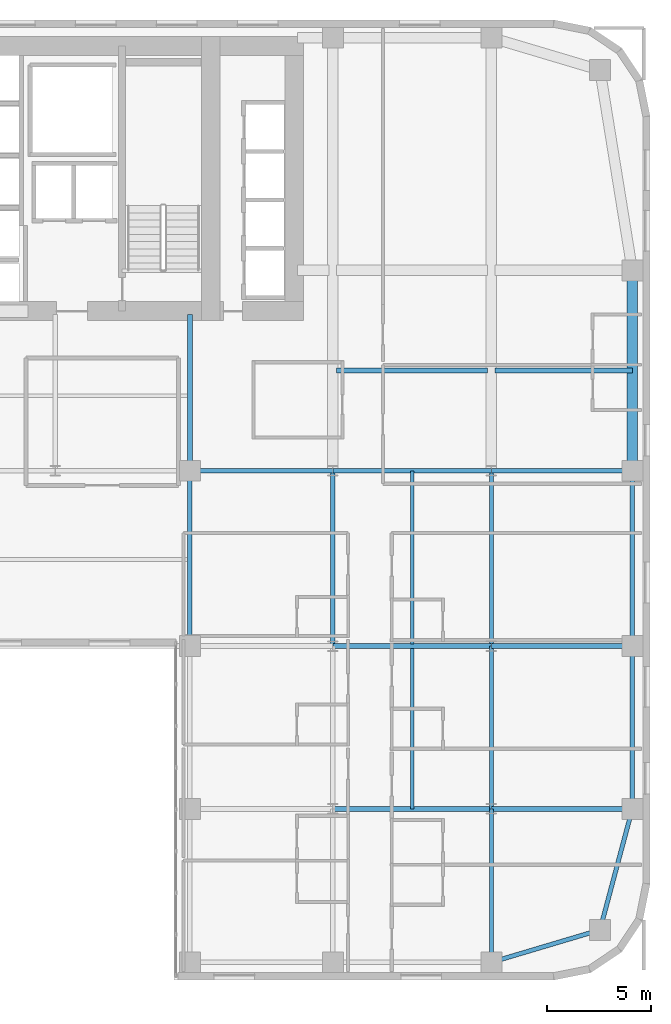
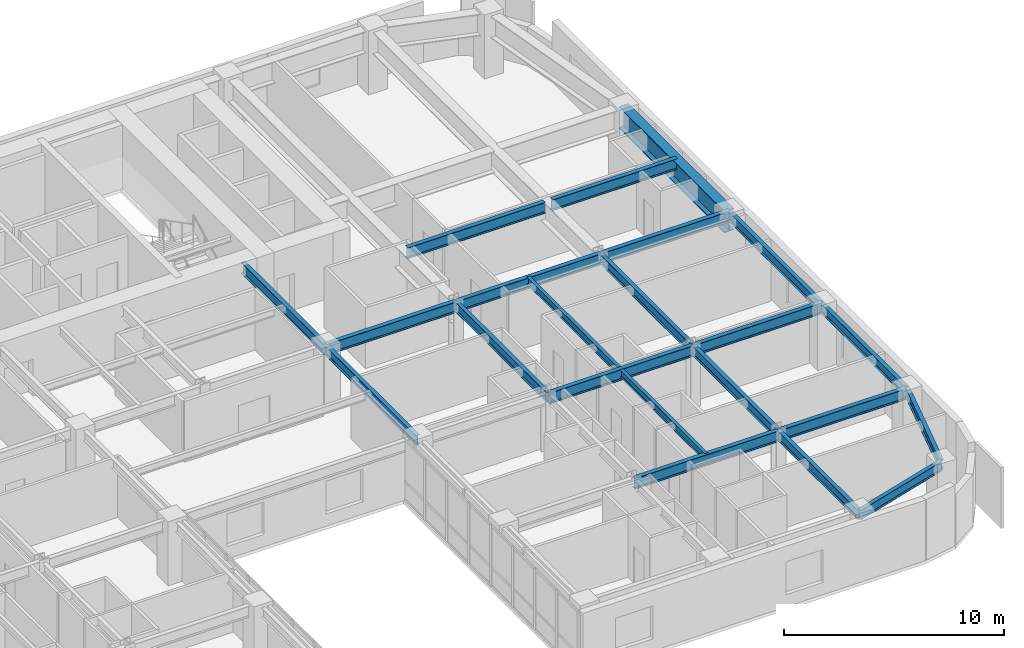
# One storey, part 16 of 30: 22 beams.
"""IFC4 building model written with IfcOpenShell, lengths in metres."""

from ifc_helpers import new_model, si_unit, direction, frame, origin, origin_2d, place, context, subcontext, project, spatial, i_section, extrude, source, transform, mapped, material, material_profile, profile_set, type_object, type_shapes, element, save


model = new_model("IFC4")

# Units and contexts
model_context = context("Model", 3, precision=1e-05, world=origin(), true_north=direction((0.0, 1.0)))
body_context = subcontext(model_context, "Body", "Model", "MODEL_VIEW")
ifc_project = project(units=[si_unit("LENGTHUNIT", "METRE"), si_unit("AREAUNIT", "SQUARE_METRE"), si_unit("VOLUMEUNIT", "CUBIC_METRE"), si_unit("PLANEANGLEUNIT", "RADIAN"), si_unit("MASSUNIT", "GRAM", prefix="KILO")], contexts=[model_context])

# Site, building, storey
site_placement = place(None, origin())
site = spatial("IfcSite", under=ifc_project, at=site_placement, CompositionType="ELEMENT")
building_placement = place(site_placement, origin())
building = spatial("IfcBuilding", under=site, at=building_placement, Name="Tolvann Quenvar Hotel", CompositionType="ELEMENT")
storey_placement = place(building_placement, frame((0.0, 0.0, 56.85009765625)))
storey = spatial("IfcBuildingStorey", under=building, at=storey_placement, Name="L13", CompositionType="ELEMENT", Elevation=56.85009765625)

# Beams
ifc_material = material(Name="Steel Grade 350", Category="steel")
ifc_material_profile_1 = material_profile(ifc_material, i_section(OverallWidth=0.5, OverallDepth=1.199951171875, WebThickness=0.01611328125, FlangeThickness=0.0400390625, at=origin_2d()), Name="1200WB455")
ifc_profile_set_1 = profile_set([ifc_material_profile_1], Name="Steel Grade 350")
beam_type_1 = type_object("IfcBeamType", Name="BM_TG_1200WB455", PredefinedType="USERDEFINED", material=ifc_profile_set_1)
shared_shape_1 = source(origin(), body_context, "Body", "SweptSolid", [
    extrude(i_section(OverallWidth=0.5, OverallDepth=1.199951171875, WebThickness=0.01611328125, FlangeThickness=0.0400390625, at=origin_2d()), origin(), (0.0, 0.0, 1.0), 9.60009765625),
])
type_shapes(beam_type_1, [shared_shape_1])
beam_1_placement = place(storey_placement, frame((56.14990234375, 24.39990234375, 2.77001953125), z_axis=(0.0, 1.0, 0.0), x_axis=(-1.0, 0.0, 0.0)))
element("IfcBeam", 1, at=beam_1_placement, inside=storey, type_object=beam_type_1, Name="BM-L13-FLK-E1", ObjectType="TRANSFER GIRDER", PredefinedType="USERDEFINED", context=body_context, shape_type="MappedRepresentation", body=[
    mapped(shared_shape_1, transform((0.0, 0.0, 0.0), x_axis=(1.0, 0.0, 0.0), y_axis=(0.0, 1.0, 0.0), z_axis=(0.0, 0.0, 1.0), scale=1.0)),
])
ifc_material_profile_2 = material_profile(ifc_material, i_section(OverallWidth=0.208984375, OverallDepth=0.528076171875, WebThickness=0.009521484375, FlangeThickness=0.01318359375, FilletRadius=0.013916015625, at=origin_2d()), Name="530UB82")
ifc_profile_set_2 = profile_set([ifc_material_profile_2], Name="Steel Grade 350")
beam_type_2 = type_object("IfcBeamType", Name="BM_SPAND_530UB82", PredefinedType="SPANDREL", material=ifc_profile_set_2)
shared_shape_2 = source(origin(), body_context, "Body", "SweptSolid", [
    extrude(i_section(OverallWidth=0.208984375, OverallDepth=0.528076171875, WebThickness=0.009521484375, FlangeThickness=0.01318359375, FilletRadius=0.013916015625, at=origin_2d()), origin(), (0.0, 0.0, 1.0), 5.42626953125),
])
beam_2_placement = place(storey_placement, frame((49.39990234375, 0.85009765625, 3.10595703125), z_axis=(0.958344815522, 0.285613750654, 0.0), x_axis=(-0.285613750654, 0.958344815522, 0.0)))
element("IfcBeam", 2, at=beam_2_placement, inside=storey, type_object=beam_type_2, Name="BM-L13-EW-2-I2-J2", PredefinedType="SPANDREL", context=body_context, shape_type="MappedRepresentation", body=[
    mapped(shared_shape_2, transform((0.0, 0.0, 0.0), x_axis=(1.0, 0.0, 0.0), y_axis=(0.0, 1.0, 0.0), z_axis=(0.0, 0.0, 1.0), scale=1.0)),
])
ifc_material_profile_3 = material_profile(ifc_material, i_section(OverallWidth=0.22900390625, OverallDepth=0.612060546875, WebThickness=0.011962890625, FlangeThickness=0.01953125, FilletRadius=0.013916015625, at=origin_2d()), Name="610UB125")
ifc_profile_set_3 = profile_set([ifc_material_profile_3], Name="Steel Grade 350")
beam_type_3 = type_object("IfcBeamType", Name="BM_GIRD_610UB125", PredefinedType="BEAM", material=ifc_profile_set_3)
shared_shape_3 = source(origin(), body_context, "Body", "SweptSolid", [
    extrude(i_section(OverallWidth=0.22900390625, OverallDepth=0.612060546875, WebThickness=0.011962890625, FlangeThickness=0.01953125, FilletRadius=0.013916015625, at=origin_2d()), origin(), (0.0, 0.0, 1.0), 6.75),
])
for number, where, z_axis, x_axis, name in (
    (3, (49.39990234375, 8.199951171875, 3.06396484375), (1.0, 0.0, 0.0), (0.0, 1.0, 0.0), "BM-L13-EW-3-I3-J3"),
    (4, (49.39990234375, 16.0, 3.06396484375), (1.0, 0.0, 0.0), (0.0, 1.0, 0.0), "BM-L13-EW-4-I4-J4"),
    (5, (49.39990234375, 24.39990234375, 3.06396484375), (1.0, 0.0, 0.0), (0.0, 1.0, 0.0), "BM-L13-EW-5-I5-J5"),
):
    element("IfcBeam", number, at=place(storey_placement, frame(where, z_axis=z_axis, x_axis=x_axis)), inside=storey, type_object=beam_type_3, Name=name, PredefinedType="BEAM", context=body_context, shape_type="MappedRepresentation", body=[
        mapped(shared_shape_3, transform((0.0, 0.0, 0.0), x_axis=(1.0, 0.0, 0.0), y_axis=(0.0, 1.0, 0.0), z_axis=(0.0, 0.0, 1.0), scale=1.0)),
    ])
shared_shape_4 = source(origin(), body_context, "Body", "SweptSolid", [
    extrude(i_section(OverallWidth=0.22900390625, OverallDepth=0.612060546875, WebThickness=0.011962890625, FlangeThickness=0.01953125, FilletRadius=0.013916015625, at=origin_2d()), origin(), (0.0, 0.0, 1.0), 7.599853515625),
])
for number, where, z_axis, x_axis, name in (
    (6, (41.800048828125, 8.199951171875, 3.06396484375), (1.0, 0.0, 0.0), (0.0, 1.0, 0.0), "BM-L13-EW-3-H3-I3"),
    (7, (41.800048828125, 16.0, 3.06396484375), (1.0, 0.0, 0.0), (0.0, 1.0, 0.0), "BM-L13-EW-4-H4-I4"),
    (8, (41.800048828125, 24.39990234375, 3.06396484375), (1.0, 0.0, 0.0), (0.0, 1.0, 0.0), "BM-L13-EW-5-H5-I5"),
):
    element("IfcBeam", number, at=place(storey_placement, frame(where, z_axis=z_axis, x_axis=x_axis)), inside=storey, type_object=beam_type_3, Name=name, PredefinedType="BEAM", context=body_context, shape_type="MappedRepresentation", body=[
        mapped(shared_shape_4, transform((0.0, 0.0, 0.0), x_axis=(1.0, 0.0, 0.0), y_axis=(0.0, 1.0, 0.0), z_axis=(0.0, 0.0, 1.0), scale=1.0)),
    ])
shared_shape_5 = source(origin(), body_context, "Body", "SweptSolid", [
    extrude(i_section(OverallWidth=0.22900390625, OverallDepth=0.612060546875, WebThickness=0.011962890625, FlangeThickness=0.01953125, FilletRadius=0.013916015625, at=origin_2d()), origin(), (0.0, 0.0, 1.0), 6.85009765625),
])
beam_3_placement = place(storey_placement, frame((34.949951171875, 24.39990234375, 3.06396484375), z_axis=(1.0, 0.0, 0.0), x_axis=(0.0, 1.0, 0.0)))
element("IfcBeam", 9, at=beam_3_placement, inside=storey, type_object=beam_type_3, Name="BM-L13-EW-5-F5-H5", PredefinedType="BEAM", context=body_context, shape_type="MappedRepresentation", body=[
    mapped(shared_shape_5, transform((0.0, 0.0, 0.0), x_axis=(1.0, 0.0, 0.0), y_axis=(0.0, 1.0, 0.0), z_axis=(0.0, 0.0, 1.0), scale=1.0)),
])
shared_shape_6 = source(origin(), body_context, "Body", "SweptSolid", [
    extrude(i_section(OverallWidth=0.208984375, OverallDepth=0.528076171875, WebThickness=0.009521484375, FlangeThickness=0.01318359375, FilletRadius=0.013916015625, at=origin_2d()), origin(), (0.0, 0.0, 1.0), 6.00341796875),
])
beam_4_placement = place(storey_placement, frame((54.60009765625, 2.39990234375, 3.10595703125), z_axis=(0.258148586649, 0.966105225745, 0.0), x_axis=(-0.966105225745, 0.258148586649, 0.0)))
element("IfcBeam", 10, at=beam_4_placement, inside=storey, type_object=beam_type_2, Name="BM-L13-NS-J2-J3", PredefinedType="SPANDREL", context=body_context, shape_type="MappedRepresentation", body=[
    mapped(shared_shape_6, transform((0.0, 0.0, 0.0), x_axis=(1.0, 0.0, 0.0), y_axis=(0.0, 1.0, 0.0), z_axis=(0.0, 0.0, 1.0), scale=1.0)),
])
shared_shape_7 = source(origin(), body_context, "Body", "SweptSolid", [
    extrude(i_section(OverallWidth=0.208984375, OverallDepth=0.528076171875, WebThickness=0.009521484375, FlangeThickness=0.01318359375, FilletRadius=0.013916015625, at=origin_2d()), origin(), (0.0, 0.0, 1.0), 7.800048828125),
])
beam_5_placement = place(storey_placement, frame((56.14990234375, 8.199951171875, 3.10595703125), z_axis=(0.0, 1.0, 0.0), x_axis=(-1.0, 0.0, 0.0)))
element("IfcBeam", 11, at=beam_5_placement, inside=storey, type_object=beam_type_2, Name="BM-L13-NS-J3-J4", PredefinedType="SPANDREL", context=body_context, shape_type="MappedRepresentation", body=[
    mapped(shared_shape_7, transform((0.0, 0.0, 0.0), x_axis=(1.0, 0.0, 0.0), y_axis=(0.0, 1.0, 0.0), z_axis=(0.0, 0.0, 1.0), scale=1.0)),
])
shared_shape_8 = source(origin(), body_context, "Body", "SweptSolid", [
    extrude(i_section(OverallWidth=0.208984375, OverallDepth=0.528076171875, WebThickness=0.009521484375, FlangeThickness=0.01318359375, FilletRadius=0.013916015625, at=origin_2d()), origin(), (0.0, 0.0, 1.0), 8.39990234375),
])
type_shapes(beam_type_2, [shared_shape_2, shared_shape_6, shared_shape_7, shared_shape_8])
beam_6_placement = place(storey_placement, frame((56.14990234375, 16.0, 3.10595703125), z_axis=(0.0, 1.0, 0.0), x_axis=(-1.0, 0.0, 0.0)))
element("IfcBeam", 12, at=beam_6_placement, inside=storey, type_object=beam_type_2, Name="BM-L13-NS-J4-J5", PredefinedType="SPANDREL", context=body_context, shape_type="MappedRepresentation", body=[
    mapped(shared_shape_8, transform((0.0, 0.0, 0.0), x_axis=(1.0, 0.0, 0.0), y_axis=(0.0, 1.0, 0.0), z_axis=(0.0, 0.0, 1.0), scale=1.0)),
])
ifc_material_profile_4 = material_profile(ifc_material, i_section(OverallWidth=0.208984375, OverallDepth=0.532958984375, WebThickness=0.01025390625, FlangeThickness=0.015625, FilletRadius=0.013916015625, at=origin_2d()), Name="530UB92")
ifc_profile_set_4 = profile_set([ifc_material_profile_4], Name="Steel Grade 350")
beam_type_4 = type_object("IfcBeamType", Name="BM_GIRD_530UB92", PredefinedType="BEAM", material=ifc_profile_set_4)
shared_shape_9 = source(origin(), body_context, "Body", "SweptSolid", [
    extrude(i_section(OverallWidth=0.208984375, OverallDepth=0.532958984375, WebThickness=0.01025390625, FlangeThickness=0.015625, FilletRadius=0.013916015625, at=origin_2d()), origin(), (0.0, 0.0, 1.0), 7.349853515625),
])
beam_7_placement = place(storey_placement, frame((49.39990234375, 0.85009765625, 3.103515625), z_axis=(0.0, 1.0, 0.0), x_axis=(-1.0, 0.0, 0.0)))
element("IfcBeam", 13, at=beam_7_placement, inside=storey, type_object=beam_type_4, Name="BM-L13-NS-I2-I3", PredefinedType="BEAM", context=body_context, shape_type="MappedRepresentation", body=[
    mapped(shared_shape_9, transform((0.0, 0.0, 0.0), x_axis=(1.0, 0.0, 0.0), y_axis=(0.0, 1.0, 0.0), z_axis=(0.0, 0.0, 1.0), scale=1.0)),
])
shared_shape_10 = source(origin(), body_context, "Body", "SweptSolid", [
    extrude(i_section(OverallWidth=0.208984375, OverallDepth=0.532958984375, WebThickness=0.01025390625, FlangeThickness=0.015625, FilletRadius=0.013916015625, at=origin_2d()), origin(), (0.0, 0.0, 1.0), 7.800048828125),
])
beam_8_placement = place(storey_placement, frame((49.39990234375, 8.199951171875, 3.103515625), z_axis=(0.0, 1.0, 0.0), x_axis=(-1.0, 0.0, 0.0)))
element("IfcBeam", 14, at=beam_8_placement, inside=storey, type_object=beam_type_4, Name="BM-L13-NS-I3-I4", PredefinedType="BEAM", context=body_context, shape_type="MappedRepresentation", body=[
    mapped(shared_shape_10, transform((0.0, 0.0, 0.0), x_axis=(1.0, 0.0, 0.0), y_axis=(0.0, 1.0, 0.0), z_axis=(0.0, 0.0, 1.0), scale=1.0)),
])
shared_shape_11 = source(origin(), body_context, "Body", "SweptSolid", [
    extrude(i_section(OverallWidth=0.208984375, OverallDepth=0.532958984375, WebThickness=0.01025390625, FlangeThickness=0.015625, FilletRadius=0.013916015625, at=origin_2d()), origin(), (0.0, 0.0, 1.0), 8.39990234375),
])
type_shapes(beam_type_4, [shared_shape_9, shared_shape_10, shared_shape_11])
for number, where, z_axis, x_axis, name in (
    (15, (34.949951171875, 16.0, 3.103515625), (0.0, 1.0, 0.0), (-1.0, 0.0, 0.0), "BM-L13-NS-F4-F5"),
    (16, (41.800048828125, 16.0, 3.103515625), (0.0, 1.0, 0.0), (-1.0, 0.0, 0.0), "BM-L13-NS-H4-H5"),
    (17, (49.39990234375, 16.0, 3.103515625), (0.0, 1.0, 0.0), (-1.0, 0.0, 0.0), "BM-L13-NS-I4-I5"),
):
    element("IfcBeam", number, at=place(storey_placement, frame(where, z_axis=z_axis, x_axis=x_axis)), inside=storey, type_object=beam_type_4, Name=name, PredefinedType="BEAM", context=body_context, shape_type="MappedRepresentation", body=[
        mapped(shared_shape_11, transform((0.0, 0.0, 0.0), x_axis=(1.0, 0.0, 0.0), y_axis=(0.0, 1.0, 0.0), z_axis=(0.0, 0.0, 1.0), scale=1.0)),
    ])
shared_shape_12 = source(origin(), body_context, "Body", "SweptSolid", [
    extrude(i_section(OverallWidth=0.22900390625, OverallDepth=0.612060546875, WebThickness=0.011962890625, FlangeThickness=0.01953125, FilletRadius=0.013916015625, at=origin_2d()), origin(), (0.0, 0.0, 1.0), 7.5),
])
beam_9_placement = place(storey_placement, frame((34.949951171875, 24.39990234375, 3.06396484375), z_axis=(0.0, 1.0, 0.0), x_axis=(-1.0, 0.0, 0.0)))
element("IfcBeam", 18, at=beam_9_placement, inside=storey, type_object=beam_type_3, Name="BM-L13-CORE-F5", PredefinedType="BEAM", context=body_context, shape_type="MappedRepresentation", body=[
    mapped(shared_shape_12, transform((0.0, 0.0, 0.0), x_axis=(1.0, 0.0, 0.0), y_axis=(0.0, 1.0, 0.0), z_axis=(0.0, 0.0, 1.0), scale=1.0)),
])
shared_shape_13 = source(origin(), body_context, "Body", "SweptSolid", [
    extrude(i_section(OverallWidth=0.22900390625, OverallDepth=0.612060546875, WebThickness=0.011962890625, FlangeThickness=0.01953125, FilletRadius=0.013916015625, at=origin_2d()), origin(), (0.0, 0.0, 1.0), 7.239990234375),
])
beam_10_placement = place(storey_placement, frame((41.97998046875, 29.199951171875, 3.06396484375), z_axis=(1.0, 0.0, 0.0), x_axis=(0.0, 1.0, 0.0)))
element("IfcBeam", 19, at=beam_10_placement, inside=storey, type_object=beam_type_3, Name="BM-L13-EW-HI29", PredefinedType="BEAM", context=body_context, shape_type="MappedRepresentation", body=[
    mapped(shared_shape_13, transform((0.0, 0.0, 0.0), x_axis=(1.0, 0.0, 0.0), y_axis=(0.0, 1.0, 0.0), z_axis=(0.0, 0.0, 1.0), scale=1.0)),
])
shared_shape_14 = source(origin(), body_context, "Body", "SweptSolid", [
    extrude(i_section(OverallWidth=0.22900390625, OverallDepth=0.612060546875, WebThickness=0.011962890625, FlangeThickness=0.01953125, FilletRadius=0.013916015625, at=origin_2d()), origin(), (0.0, 0.0, 1.0), 6.56982421875),
])
type_shapes(beam_type_3, [shared_shape_3, shared_shape_4, shared_shape_5, shared_shape_12, shared_shape_13, shared_shape_14])
beam_11_placement = place(storey_placement, frame((49.580078125, 29.199951171875, 3.06396484375), z_axis=(1.0, 0.0, 0.0), x_axis=(0.0, 1.0, 0.0)))
element("IfcBeam", 20, at=beam_11_placement, inside=storey, type_object=beam_type_3, Name="BM-L13-EW-IJ29", PredefinedType="BEAM", context=body_context, shape_type="MappedRepresentation", body=[
    mapped(shared_shape_14, transform((0.0, 0.0, 0.0), x_axis=(1.0, 0.0, 0.0), y_axis=(0.0, 1.0, 0.0), z_axis=(0.0, 0.0, 1.0), scale=1.0)),
])
ifc_material_profile_5 = material_profile(ifc_material, i_section(OverallWidth=0.177978515625, OverallDepth=0.406005859375, WebThickness=0.0078125, FlangeThickness=0.0126953125, FilletRadius=0.011474609375, at=origin_2d()), Name="410UB60")
ifc_profile_set_5 = profile_set([ifc_material_profile_5], Name="Steel Grade 350")
beam_type_5 = type_object("IfcBeamType", Name="BM_JOIST_410UB60", PredefinedType="JOIST", material=ifc_profile_set_5)
shared_shape_15 = source(origin(), body_context, "Body", "SweptSolid", [
    extrude(i_section(OverallWidth=0.177978515625, OverallDepth=0.406005859375, WebThickness=0.0078125, FlangeThickness=0.0126953125, FilletRadius=0.011474609375, at=origin_2d()), origin(), (0.0, 0.0, 1.0), 7.691650390625),
])
beam_12_placement = place(storey_placement, frame((45.60009765625, 8.199951171875, 3.1669921875), z_axis=(0.0, 1.0, 0.0), x_axis=(-1.0, 0.0, 0.0)))
element("IfcBeam", 21, at=beam_12_placement, inside=storey, type_object=beam_type_5, Name="BJ-L13-456-82", PredefinedType="JOIST", context=body_context, shape_type="MappedRepresentation", body=[
    mapped(shared_shape_15, transform((0.0, 0.0, 0.0), x_axis=(1.0, 0.0, 0.0), y_axis=(0.0, 1.0, 0.0), z_axis=(0.0, 0.0, 1.0), scale=1.0)),
])
shared_shape_16 = source(origin(), body_context, "Body", "SweptSolid", [
    extrude(i_section(OverallWidth=0.177978515625, OverallDepth=0.406005859375, WebThickness=0.0078125, FlangeThickness=0.0126953125, FilletRadius=0.011474609375, at=origin_2d()), origin(), (0.0, 0.0, 1.0), 8.29150390625),
])
type_shapes(beam_type_5, [shared_shape_15, shared_shape_16])
beam_13_placement = place(storey_placement, frame((45.60009765625, 16.1083984375, 3.1669921875), z_axis=(0.0, 1.0, 0.0), x_axis=(-1.0, 0.0, 0.0)))
element("IfcBeam", 22, at=beam_13_placement, inside=storey, type_object=beam_type_5, Name="BJ-L13-456-160", PredefinedType="JOIST", context=body_context, shape_type="MappedRepresentation", body=[
    mapped(shared_shape_16, transform((0.0, 0.0, 0.0), x_axis=(1.0, 0.0, 0.0), y_axis=(0.0, 1.0, 0.0), z_axis=(0.0, 0.0, 1.0), scale=1.0)),
])

save(model, "model.ifc")
